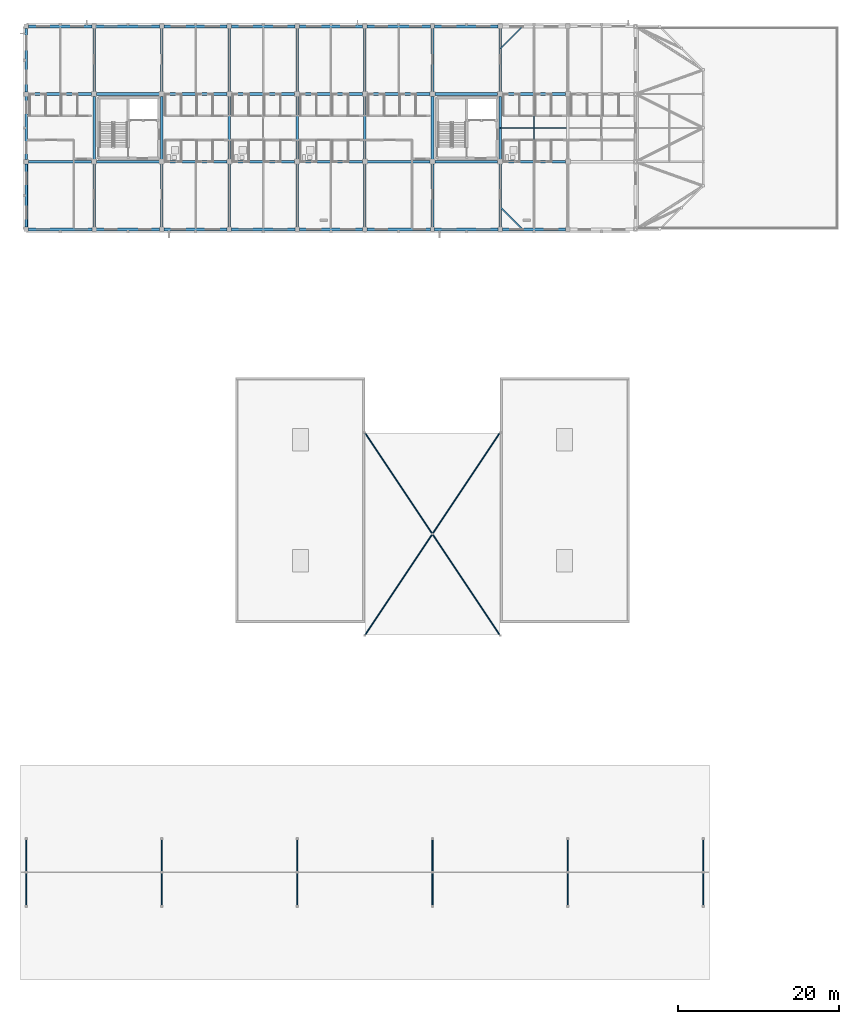
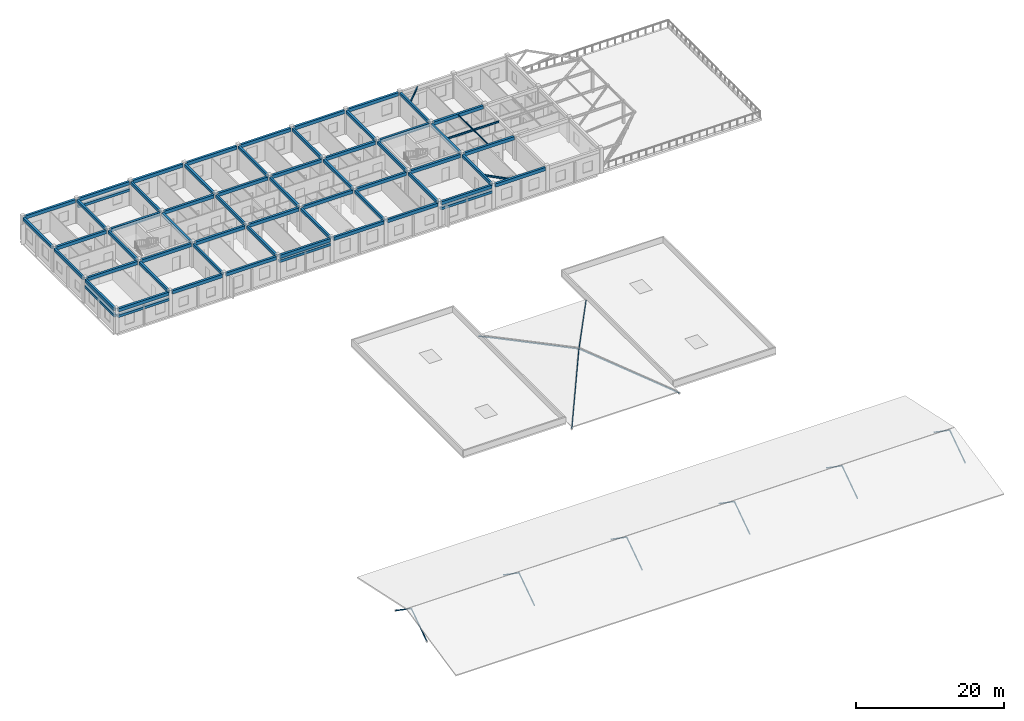
# One storey, part 3 of 21: 65 beams, 16 members.
"""IFC4 building model written with IfcOpenShell, lengths in metres."""

import ifcopenshell
import ifcopenshell.guid

model = None  # the IFC model being written
_history = None  # IfcOwnerHistory: only IFC2X3 demands one
_inside = {}  # id of a spatial element -> (the spatial element, [elements in it])
_under = {}  # id of a project, library or spatial element -> (it, [spatial elements below it])
_declared = {}  # id of a project -> (the project, [libraries it declares])
_typed = {}  # id of a type object -> (the type object, [elements of that type])
_made_of = {}  # id of a material, layer set ... -> (it, [elements and type objects made of it])


def new_model(schema):
    """Start an empty IFC model of exactly this schema.

    Asked for "IFC4X3", IfcOpenShell would pick the latest addendum, in which some entities
    have other attributes; the version numbers below select the first issue.
    IFC2X3 requires an IfcOwnerHistory on every rooted entity: one is made here for all.
    """
    global model, _history
    if schema == "IFC4X3":
        model = ifcopenshell.file(schema_version=(4, 3, 0, 0))
    else:
        model = ifcopenshell.file(schema=schema)
    _inside.clear()
    _under.clear()
    _declared.clear()
    _typed.clear()
    _made_of.clear()
    _history = None
    if model.schema == "IFC2X3":
        org = make("IfcOrganization", Name="unknown")
        user = make(
            "IfcPersonAndOrganization",
            ThePerson=make("IfcPerson", FamilyName="unknown"),
            TheOrganization=org,
        )
        app = make(
            "IfcApplication",
            ApplicationDeveloper=org,
            Version="unknown",
            ApplicationFullName="unknown",
            ApplicationIdentifier="unknown",
        )
        _history = make(
            "IfcOwnerHistory",
            OwningUser=user,
            OwningApplication=app,
            ChangeAction="ADDED",
            CreationDate=0,
        )
    return model


def make(cls, **values):
    """One entity of the class cls with the attributes given. An attribute that is None is left unset."""
    return model.create_entity(
        cls, **{name: value for name, value in values.items() if value is not None}
    )


def rooted(cls, **values):
    """An entity with a GlobalId (a new one), such as an element, a storey or a relation."""
    return make(cls, GlobalId=ifcopenshell.guid.new(), OwnerHistory=_history, **values)


def si_unit(unit_type, name, prefix=None):
    """IfcSIUnit, for example si_unit("LENGTHUNIT", "METRE", prefix="MILLI")."""
    return make("IfcSIUnit", UnitType=unit_type, Prefix=prefix, Name=name)


def assignment(units):
    """IfcUnitAssignment: the units of a project."""
    return None if units is None else make("IfcUnitAssignment", Units=units)


def point(xyz):
    """IfcCartesianPoint."""
    return None if xyz is None else make("IfcCartesianPoint", Coordinates=xyz)


def direction(xyz):
    """IfcDirection."""
    return None if xyz is None else make("IfcDirection", DirectionRatios=xyz)


def frame(location, z_axis=None, x_axis=None):
    """IfcAxis2Placement3D, a coordinate frame: its origin and axes. An axis left out is left unset."""
    return make(
        "IfcAxis2Placement3D",
        Location=point(location),
        Axis=direction(z_axis),
        RefDirection=direction(x_axis),
    )


def frame_2d(location, x_axis=None):
    """IfcAxis2Placement2D, a coordinate frame in the plane: its origin and x axis."""
    return make(
        "IfcAxis2Placement2D", Location=point(location), RefDirection=direction(x_axis)
    )


def origin():
    """The frame at (0, 0, 0) with its axes left unset."""
    return frame((0.0, 0.0, 0.0))


def origin_2d():
    """The frame at (0, 0) in the plane with its x axis left unset."""
    return frame_2d((0.0, 0.0))


def place(relative_to, where):
    """IfcLocalPlacement: puts the frame where relative to a parent placement (None: the world)."""
    return make(
        "IfcLocalPlacement", PlacementRelTo=relative_to, RelativePlacement=where
    )


def context(
    kind, dimensions, precision=None, world=None, true_north=None, identifier=None
):
    """IfcGeometricRepresentationContext, for example the 3D "Model" context."""
    return make(
        "IfcGeometricRepresentationContext",
        ContextIdentifier=identifier,
        ContextType=kind,
        CoordinateSpaceDimension=dimensions,
        Precision=precision,
        WorldCoordinateSystem=world,
        TrueNorth=true_north,
    )


def subcontext(parent, identifier, kind, view, scale=None):
    """IfcGeometricRepresentationSubContext, for example "Body" below "Model"."""
    return make(
        "IfcGeometricRepresentationSubContext",
        ContextIdentifier=identifier,
        ContextType=kind,
        ParentContext=parent,
        TargetScale=scale,
        TargetView=view,
    )


def project(units=None, contexts=None):
    """IfcProject with its units and contexts."""
    return rooted(
        "IfcProject",
        Name="project",
        RepresentationContexts=contexts,
        UnitsInContext=assignment(units),
    )


def spatial(cls, under=None, at=None, **own):
    """A site, building, storey or space (cls), placed at a placement, below another one or the project."""
    s = rooted(cls, ObjectPlacement=at, **own)
    if under is not None:
        _under.setdefault(under.id(), (under, []))[1].append(s)
    return s


def profile(cls, at=None, kind="AREA", **sizes):
    """A parametric profile (cls). Its sizes go by their IFC names, for example OverallWidth=200.0."""
    return make(cls, ProfileType=kind, Position=at, **sizes)


def rectangle(**sizes):
    """IfcRectangleProfileDef."""
    return profile("IfcRectangleProfileDef", **sizes)


def hollow_circle(**sizes):
    """IfcCircleHollowProfileDef."""
    return profile("IfcCircleHollowProfileDef", **sizes)


def i_section(**sizes):
    """IfcIShapeProfileDef."""
    return profile("IfcIShapeProfileDef", **sizes)


def extrude(swept, where, along, depth):
    """IfcExtrudedAreaSolid: the profile swept, set in the frame where, extruded along a direction by depth."""
    return make(
        "IfcExtrudedAreaSolid",
        SweptArea=swept,
        Position=where,
        ExtrudedDirection=direction(along),
        Depth=depth,
    )


def shape(context_of_items, identifier, shape_type, items):
    """IfcShapeRepresentation: the items that make up one representation, for example the "Body"."""
    return make(
        "IfcShapeRepresentation",
        ContextOfItems=context_of_items,
        RepresentationIdentifier=identifier,
        RepresentationType=shape_type,
        Items=items,
    )


def material(Name=None, Category=None):
    """IfcMaterial."""
    return make("IfcMaterial", Name=Name, Category=Category)


def material_profile(
    of_material, cross_section, Name=None, Category=None, Priority=None
):
    """IfcMaterialProfile: a cross section and its material."""
    return make(
        "IfcMaterialProfile",
        Name=Name,
        Material=of_material,
        Profile=cross_section,
        Priority=Priority,
        Category=Category,
    )


def profile_set(profiles, Name=None, composite=None):
    """IfcMaterialProfileSet."""
    return make(
        "IfcMaterialProfileSet",
        Name=Name,
        MaterialProfiles=profiles,
        CompositeProfile=composite,
    )


def made_of(thing, what):
    """Note that an element or type object is made of a material, layer set ...; save() writes the relation."""
    if what is not None:
        _made_of.setdefault(what.id(), (what, []))[1].append(thing)
    return thing


def type_object(cls, material=None, **own):
    """A type object (cls), such as IfcWallType, which elements share."""
    return made_of(rooted(cls, **own), material)


def element(
    cls,
    number,
    at=None,
    inside=None,
    cuts=None,
    type_object=None,
    material=None,
    context=None,
    identifier="Body",
    shape_type=None,
    held_by="IfcProductDefinitionShape",
    body=None,
    shapes=None,
    **own,
):
    """One element of the class cls, such as IfcWall. Its Tag is "e" and its number.

    at: its placement. inside: the storey or other place that contains it. cuts: it is an
    opening in that element (IfcRelVoidsElement). A single representation is given by context,
    identifier, shape_type and body (its items); several are given by shapes. held_by: the class
    of the entity that holds the representations. save() writes the other relations.
    """
    e = rooted(cls, Tag="e%d" % number, ObjectPlacement=at, **own)
    if body is not None:
        shapes = [shape(context, identifier, shape_type, body)]
    if shapes is not None:
        e.Representation = make(held_by, Representations=shapes)
    if inside is not None:
        _inside.setdefault(inside.id(), (inside, []))[1].append(e)
    if cuts is not None:
        rooted(
            "IfcRelVoidsElement", RelatingBuildingElement=cuts, RelatedOpeningElement=e
        )
    if type_object is not None:
        _typed.setdefault(type_object.id(), (type_object, []))[1].append(e)
    return made_of(e, material)


def aggregate(whole, parts):
    """IfcRelAggregates: a whole, such as a stair, and the parts it consists of."""
    return rooted("IfcRelAggregates", RelatingObject=whole, RelatedObjects=parts)


def save(model, path):
    """Write the relations noted so far, then the file.

    IfcRelAggregates (storeys below a building ...), IfcRelContainedInSpatialStructure (elements
    in a storey), IfcRelDefinesByType, IfcRelAssociatesMaterial and IfcRelDeclares: one each for
    every whole, place, type object, material and project.
    """
    for whole, parts in _under.values():
        aggregate(whole, parts)
    for where, things in _inside.values():
        rooted(
            "IfcRelContainedInSpatialStructure",
            RelatedElements=things,
            RelatingStructure=where,
        )
    for kind, things in _typed.values():
        rooted("IfcRelDefinesByType", RelatedObjects=things, RelatingType=kind)
    for what, things in _made_of.values():
        rooted("IfcRelAssociatesMaterial", RelatedObjects=things, RelatingMaterial=what)
    for by, libraries in _declared.values():
        rooted("IfcRelDeclares", RelatingContext=by, RelatedDefinitions=libraries)
    model.write(path)


model = new_model("IFC4")

# Units and contexts
model_context = context("Model", 3, precision=1e-05, world=origin(), true_north=direction((0.0, 1.0)))
body_context = subcontext(model_context, "Body", "Model", "MODEL_VIEW")
ifc_project = project(units=[si_unit("LENGTHUNIT", "METRE"), si_unit("AREAUNIT", "SQUARE_METRE"), si_unit("VOLUMEUNIT", "CUBIC_METRE"), si_unit("PLANEANGLEUNIT", "RADIAN"), si_unit("MASSUNIT", "GRAM", prefix="KILO")], contexts=[model_context])

# Site, building, storey
site_placement = place(None, origin())
site = spatial("IfcSite", under=ifc_project, at=site_placement, CompositionType="ELEMENT")
building_placement = place(site_placement, origin())
building = spatial("IfcBuilding", under=site, at=building_placement, Name="Trelvath General Hospital", CompositionType="ELEMENT")
storey_placement = place(building_placement, frame((0.0, 0.0, 28.800048828125)))
storey = spatial("IfcBuildingStorey", under=building, at=storey_placement, Name="L07", CompositionType="ELEMENT", Elevation=28.800048828125)

# Beams
ifc_material_1 = material(Name="Concrete C35/45", Category="concrete")
ifc_material_profile_1 = material_profile(ifc_material_1, rectangle(XDim=0.320068359375, YDim=0.47998046875, at=origin_2d()), Name="RCB320x480")
ifc_profile_set_1 = profile_set([ifc_material_profile_1], Name="Concrete C35/45")
beam_type_1 = type_object("IfcBeamType", Name="Beam RC320x480", PredefinedType="BEAM", material=ifc_profile_set_1)
beam_1_placement = place(storey_placement, frame((33.60009765625, 92.669921875, 3.679931640625), z_axis=(0.0, 1.0, 0.0), x_axis=(-1.0, 0.0, 0.0)))
element("IfcBeam", 1, at=beam_1_placement, inside=storey, type_object=beam_type_1, Name="Grid Beam BY-704L", PredefinedType="BEAM", context=body_context, shape_type="SweptSolid", body=[
    extrude(rectangle(XDim=0.320068359375, YDim=0.47998046875, at=origin_2d()), origin(), (0.0, 0.0, 1.0), 7.860107421875),
])
beam_2_placement = place(storey_placement, frame((33.60009765625, 101.070068359375, 3.679931640625), z_axis=(0.0, 1.0, 0.0), x_axis=(-1.0, 0.0, 0.0)))
element("IfcBeam", 2, at=beam_2_placement, inside=storey, type_object=beam_type_1, Name="Grid Beam BY-704M", PredefinedType="BEAM", context=body_context, shape_type="SweptSolid", body=[
    extrude(rectangle(XDim=0.320068359375, YDim=0.47998046875, at=origin_2d()), origin(), (0.0, 0.0, 1.0), 7.85986328125),
])
beam_3_placement = place(storey_placement, frame((33.60009765625, 109.469970703125, 3.679931640625), z_axis=(0.0, 1.0, 0.0), x_axis=(-1.0, 0.0, 0.0)))
element("IfcBeam", 3, at=beam_3_placement, inside=storey, type_object=beam_type_1, Name="Grid Beam BY-704N", PredefinedType="BEAM", context=body_context, shape_type="SweptSolid", body=[
    extrude(rectangle(XDim=0.320068359375, YDim=0.47998046875, at=origin_2d()), origin(), (0.0, 0.0, 1.0), 7.860107421875),
])
beam_4_placement = place(storey_placement, frame((42.0, 92.669921875, 3.679931640625), z_axis=(0.0, 1.0, 0.0), x_axis=(-1.0, 0.0, 0.0)))
element("IfcBeam", 4, at=beam_4_placement, inside=storey, type_object=beam_type_1, Name="Grid Beam BY-705L", PredefinedType="BEAM", context=body_context, shape_type="SweptSolid", body=[
    extrude(rectangle(XDim=0.320068359375, YDim=0.47998046875, at=origin_2d()), origin(), (0.0, 0.0, 1.0), 7.8251953125),
])
beam_5_placement = place(storey_placement, frame((42.0, 101.10498046875, 3.679931640625), z_axis=(0.0, 1.0, 0.0), x_axis=(-1.0, 0.0, 0.0)))
element("IfcBeam", 5, at=beam_5_placement, inside=storey, type_object=beam_type_1, Name="Grid Beam BY-705M", PredefinedType="BEAM", context=body_context, shape_type="SweptSolid", body=[
    extrude(rectangle(XDim=0.320068359375, YDim=0.47998046875, at=origin_2d()), origin(), (0.0, 0.0, 1.0), 7.7900390625),
])
for number, where, z_axis, x_axis, name in (
    (6, (42.0, 109.5048828125, 3.679931640625), (0.0, 1.0, 0.0), (-1.0, 0.0, 0.0), "Grid Beam BY-705N"),
    (7, (50.39990234375, 92.669921875, 3.679931640625), (0.0, 1.0, 0.0), (-1.0, 0.0, 0.0), "Grid Beam BY-706L"),
):
    element("IfcBeam", number, at=place(storey_placement, frame(where, z_axis=z_axis, x_axis=x_axis)), inside=storey, type_object=beam_type_1, Name=name, PredefinedType="BEAM", context=body_context, shape_type="SweptSolid", body=[
        extrude(rectangle(XDim=0.320068359375, YDim=0.47998046875, at=origin_2d()), origin(), (0.0, 0.0, 1.0), 7.8251953125),
    ])
beam_6_placement = place(storey_placement, frame((50.39990234375, 101.10498046875, 3.679931640625), z_axis=(0.0, 1.0, 0.0), x_axis=(-1.0, 0.0, 0.0)))
element("IfcBeam", 8, at=beam_6_placement, inside=storey, type_object=beam_type_1, Name="Grid Beam BY-706M", PredefinedType="BEAM", context=body_context, shape_type="SweptSolid", body=[
    extrude(rectangle(XDim=0.320068359375, YDim=0.47998046875, at=origin_2d()), origin(), (0.0, 0.0, 1.0), 7.7900390625),
])
for number, where, z_axis, x_axis, name in (
    (9, (50.39990234375, 109.5048828125, 3.679931640625), (0.0, 1.0, 0.0), (-1.0, 0.0, 0.0), "Grid Beam BY-706N"),
    (10, (58.800048828125, 92.669921875, 3.679931640625), (0.0, 1.0, 0.0), (-1.0, 0.0, 0.0), "Grid Beam BY-707L"),
):
    element("IfcBeam", number, at=place(storey_placement, frame(where, z_axis=z_axis, x_axis=x_axis)), inside=storey, type_object=beam_type_1, Name=name, PredefinedType="BEAM", context=body_context, shape_type="SweptSolid", body=[
        extrude(rectangle(XDim=0.320068359375, YDim=0.47998046875, at=origin_2d()), origin(), (0.0, 0.0, 1.0), 7.8251953125),
    ])
beam_7_placement = place(storey_placement, frame((58.800048828125, 101.10498046875, 3.679931640625), z_axis=(0.0, 1.0, 0.0), x_axis=(-1.0, 0.0, 0.0)))
element("IfcBeam", 11, at=beam_7_placement, inside=storey, type_object=beam_type_1, Name="Grid Beam BY-707M", PredefinedType="BEAM", context=body_context, shape_type="SweptSolid", body=[
    extrude(rectangle(XDim=0.320068359375, YDim=0.47998046875, at=origin_2d()), origin(), (0.0, 0.0, 1.0), 7.7900390625),
])
for number, where, z_axis, x_axis, name in (
    (12, (58.800048828125, 109.5048828125, 3.679931640625), (0.0, 1.0, 0.0), (-1.0, 0.0, 0.0), "Grid Beam BY-707N"),
    (13, (67.199951171875, 92.669921875, 3.679931640625), (0.0, 1.0, 0.0), (-1.0, 0.0, 0.0), "Grid Beam BY-708L"),
):
    element("IfcBeam", number, at=place(storey_placement, frame(where, z_axis=z_axis, x_axis=x_axis)), inside=storey, type_object=beam_type_1, Name=name, PredefinedType="BEAM", context=body_context, shape_type="SweptSolid", body=[
        extrude(rectangle(XDim=0.320068359375, YDim=0.47998046875, at=origin_2d()), origin(), (0.0, 0.0, 1.0), 7.8251953125),
    ])
beam_8_placement = place(storey_placement, frame((67.199951171875, 101.10498046875, 3.679931640625), z_axis=(0.0, 1.0, 0.0), x_axis=(-1.0, 0.0, 0.0)))
element("IfcBeam", 14, at=beam_8_placement, inside=storey, type_object=beam_type_1, Name="Grid Beam BY-708M", PredefinedType="BEAM", context=body_context, shape_type="SweptSolid", body=[
    extrude(rectangle(XDim=0.320068359375, YDim=0.47998046875, at=origin_2d()), origin(), (0.0, 0.0, 1.0), 7.7900390625),
])
for number, where, z_axis, x_axis, name in (
    (15, (67.199951171875, 109.5048828125, 3.679931640625), (0.0, 1.0, 0.0), (-1.0, 0.0, 0.0), "Grid Beam BY-708N"),
    (16, (75.60009765625, 92.669921875, 3.679931640625), (0.0, 1.0, 0.0), (-1.0, 0.0, 0.0), "Grid Beam BY-709L"),
):
    element("IfcBeam", number, at=place(storey_placement, frame(where, z_axis=z_axis, x_axis=x_axis)), inside=storey, type_object=beam_type_1, Name=name, PredefinedType="BEAM", context=body_context, shape_type="SweptSolid", body=[
        extrude(rectangle(XDim=0.320068359375, YDim=0.47998046875, at=origin_2d()), origin(), (0.0, 0.0, 1.0), 7.8251953125),
    ])
beam_9_placement = place(storey_placement, frame((75.60009765625, 101.10498046875, 3.679931640625), z_axis=(0.0, 1.0, 0.0), x_axis=(-1.0, 0.0, 0.0)))
element("IfcBeam", 17, at=beam_9_placement, inside=storey, type_object=beam_type_1, Name="Grid Beam BY-709M", PredefinedType="BEAM", context=body_context, shape_type="SweptSolid", body=[
    extrude(rectangle(XDim=0.320068359375, YDim=0.47998046875, at=origin_2d()), origin(), (0.0, 0.0, 1.0), 7.7900390625),
])
for number, where, z_axis, x_axis, name in (
    (18, (75.60009765625, 109.5048828125, 3.679931640625), (0.0, 1.0, 0.0), (-1.0, 0.0, 0.0), "Grid Beam BY-709N"),
    (19, (84.0, 92.669921875, 3.679931640625), (0.0, 1.0, 0.0), (-1.0, 0.0, 0.0), "Grid Beam BY-710L"),
):
    element("IfcBeam", number, at=place(storey_placement, frame(where, z_axis=z_axis, x_axis=x_axis)), inside=storey, type_object=beam_type_1, Name=name, PredefinedType="BEAM", context=body_context, shape_type="SweptSolid", body=[
        extrude(rectangle(XDim=0.320068359375, YDim=0.47998046875, at=origin_2d()), origin(), (0.0, 0.0, 1.0), 7.8251953125),
    ])
beam_10_placement = place(storey_placement, frame((84.0, 101.10498046875, 3.679931640625), z_axis=(0.0, 1.0, 0.0), x_axis=(-1.0, 0.0, 0.0)))
element("IfcBeam", 20, at=beam_10_placement, inside=storey, type_object=beam_type_1, Name="Grid Beam BY-710M", PredefinedType="BEAM", context=body_context, shape_type="SweptSolid", body=[
    extrude(rectangle(XDim=0.320068359375, YDim=0.47998046875, at=origin_2d()), origin(), (0.0, 0.0, 1.0), 7.7900390625),
])
for number, where, z_axis, x_axis, name in (
    (21, (84.0, 109.5048828125, 3.679931640625), (0.0, 1.0, 0.0), (-1.0, 0.0, 0.0), "Grid Beam BY-710N"),
    (22, (92.39990234375, 92.669921875, 3.679931640625), (0.0, 1.0, 0.0), (-1.0, 0.0, 0.0), "Grid Beam BY-711L"),
):
    element("IfcBeam", number, at=place(storey_placement, frame(where, z_axis=z_axis, x_axis=x_axis)), inside=storey, type_object=beam_type_1, Name=name, PredefinedType="BEAM", context=body_context, shape_type="SweptSolid", body=[
        extrude(rectangle(XDim=0.320068359375, YDim=0.47998046875, at=origin_2d()), origin(), (0.0, 0.0, 1.0), 7.8251953125),
    ])
beam_11_placement = place(storey_placement, frame((92.39990234375, 101.10498046875, 3.679931640625), z_axis=(0.0, 1.0, 0.0), x_axis=(-1.0, 0.0, 0.0)))
element("IfcBeam", 23, at=beam_11_placement, inside=storey, type_object=beam_type_1, Name="Grid Beam BY-711M", PredefinedType="BEAM", context=body_context, shape_type="SweptSolid", body=[
    extrude(rectangle(XDim=0.320068359375, YDim=0.47998046875, at=origin_2d()), origin(), (0.0, 0.0, 1.0), 7.7900390625),
])
beam_12_placement = place(storey_placement, frame((92.39990234375, 109.5048828125, 3.679931640625), z_axis=(0.0, 1.0, 0.0), x_axis=(-1.0, 0.0, 0.0)))
element("IfcBeam", 24, at=beam_12_placement, inside=storey, type_object=beam_type_1, Name="Grid Beam BY-711N", PredefinedType="BEAM", context=body_context, shape_type="SweptSolid", body=[
    extrude(rectangle(XDim=0.320068359375, YDim=0.47998046875, at=origin_2d()), origin(), (0.0, 0.0, 1.0), 7.8251953125),
])
ifc_material_2 = material(Name="Concrete C35/45", Category="concrete")
ifc_material_profile_2 = material_profile(ifc_material_2, rectangle(XDim=0.35009765625, YDim=0.550048828125, at=origin_2d()), Name="RCB350x550")
ifc_profile_set_2 = profile_set([ifc_material_profile_2], Name="Concrete C35/45")
beam_type_2 = type_object("IfcBeamType", Name="Beam RC350x550", PredefinedType="BEAM", material=ifc_profile_set_2)
beam_13_placement = place(storey_placement, frame((33.8701171875, 92.39990234375, 3.64501953125), z_axis=(1.0, 0.0, 0.0), x_axis=(0.0, 1.0, 0.0)))
element("IfcBeam", 25, at=beam_13_placement, inside=storey, type_object=beam_type_2, Name="Grid Beam BX-704L", PredefinedType="BEAM", context=body_context, shape_type="SweptSolid", body=[
    extrude(rectangle(XDim=0.35009765625, YDim=0.550048828125, at=origin_2d()), origin(), (0.0, 0.0, 1.0), 7.85986328125),
])
for number, where, z_axis, x_axis, name in (
    (26, (33.8701171875, 100.800048828125, 3.64501953125), (1.0, 0.0, 0.0), (0.0, 1.0, 0.0), "Grid Beam BX-704M"),
    (27, (33.8701171875, 109.199951171875, 3.64501953125), (1.0, 0.0, 0.0), (0.0, 1.0, 0.0), "Grid Beam BX-704N"),
):
    element("IfcBeam", number, at=place(storey_placement, frame(where, z_axis=z_axis, x_axis=x_axis)), inside=storey, type_object=beam_type_2, Name=name, PredefinedType="BEAM", context=body_context, shape_type="SweptSolid", body=[
        extrude(rectangle(XDim=0.35009765625, YDim=0.550048828125, at=origin_2d()), origin(), (0.0, 0.0, 1.0), 7.824951171875),
    ])
for number, where, z_axis, x_axis, name in (
    (28, (33.8701171875, 117.60009765625, 3.64501953125), (1.0, 0.0, 0.0), (0.0, 1.0, 0.0), "Grid Beam BX-704O"),
    (29, (42.27001953125, 92.39990234375, 3.64501953125), (1.0, 0.0, 0.0), (0.0, 1.0, 0.0), "Grid Beam BX-705L"),
):
    element("IfcBeam", number, at=place(storey_placement, frame(where, z_axis=z_axis, x_axis=x_axis)), inside=storey, type_object=beam_type_2, Name=name, PredefinedType="BEAM", context=body_context, shape_type="SweptSolid", body=[
        extrude(rectangle(XDim=0.35009765625, YDim=0.550048828125, at=origin_2d()), origin(), (0.0, 0.0, 1.0), 7.85986328125),
    ])
for number, where, z_axis, x_axis, name in (
    (30, (42.304931640625, 100.800048828125, 3.64501953125), (1.0, 0.0, 0.0), (0.0, 1.0, 0.0), "Grid Beam BX-705M"),
    (31, (42.304931640625, 109.199951171875, 3.64501953125), (1.0, 0.0, 0.0), (0.0, 1.0, 0.0), "Grid Beam BX-705N"),
):
    element("IfcBeam", number, at=place(storey_placement, frame(where, z_axis=z_axis, x_axis=x_axis)), inside=storey, type_object=beam_type_2, Name=name, PredefinedType="BEAM", context=body_context, shape_type="SweptSolid", body=[
        extrude(rectangle(XDim=0.35009765625, YDim=0.550048828125, at=origin_2d()), origin(), (0.0, 0.0, 1.0), 7.7900390625),
    ])
beam_14_placement = place(storey_placement, frame((42.27001953125, 117.60009765625, 3.64501953125), z_axis=(1.0, 0.0, 0.0), x_axis=(0.0, 1.0, 0.0)))
element("IfcBeam", 32, at=beam_14_placement, inside=storey, type_object=beam_type_2, Name="Grid Beam BX-705O", PredefinedType="BEAM", context=body_context, shape_type="SweptSolid", body=[
    extrude(rectangle(XDim=0.35009765625, YDim=0.550048828125, at=origin_2d()), origin(), (0.0, 0.0, 1.0), 7.85986328125),
])
beam_15_placement = place(storey_placement, frame((50.669921875, 92.39990234375, 3.64501953125), z_axis=(1.0, 0.0, 0.0), x_axis=(0.0, 1.0, 0.0)))
element("IfcBeam", 33, at=beam_15_placement, inside=storey, type_object=beam_type_2, Name="Grid Beam BX-706L", PredefinedType="BEAM", context=body_context, shape_type="SweptSolid", body=[
    extrude(rectangle(XDim=0.35009765625, YDim=0.550048828125, at=origin_2d()), origin(), (0.0, 0.0, 1.0), 7.860107421875),
])
for number, where, z_axis, x_axis, name in (
    (34, (50.705078125, 100.800048828125, 3.64501953125), (1.0, 0.0, 0.0), (0.0, 1.0, 0.0), "Grid Beam BX-706M"),
    (35, (50.705078125, 109.199951171875, 3.64501953125), (1.0, 0.0, 0.0), (0.0, 1.0, 0.0), "Grid Beam BX-706N"),
):
    element("IfcBeam", number, at=place(storey_placement, frame(where, z_axis=z_axis, x_axis=x_axis)), inside=storey, type_object=beam_type_2, Name=name, PredefinedType="BEAM", context=body_context, shape_type="SweptSolid", body=[
        extrude(rectangle(XDim=0.35009765625, YDim=0.550048828125, at=origin_2d()), origin(), (0.0, 0.0, 1.0), 7.7900390625),
    ])
beam_16_placement = place(storey_placement, frame((50.669921875, 117.60009765625, 3.64501953125), z_axis=(1.0, 0.0, 0.0), x_axis=(0.0, 1.0, 0.0)))
element("IfcBeam", 36, at=beam_16_placement, inside=storey, type_object=beam_type_2, Name="Grid Beam BX-706O", PredefinedType="BEAM", context=body_context, shape_type="SweptSolid", body=[
    extrude(rectangle(XDim=0.35009765625, YDim=0.550048828125, at=origin_2d()), origin(), (0.0, 0.0, 1.0), 7.860107421875),
])
beam_17_placement = place(storey_placement, frame((59.070068359375, 92.39990234375, 3.64501953125), z_axis=(1.0, 0.0, 0.0), x_axis=(0.0, 1.0, 0.0)))
element("IfcBeam", 37, at=beam_17_placement, inside=storey, type_object=beam_type_2, Name="Grid Beam BX-707L", PredefinedType="BEAM", context=body_context, shape_type="SweptSolid", body=[
    extrude(rectangle(XDim=0.35009765625, YDim=0.550048828125, at=origin_2d()), origin(), (0.0, 0.0, 1.0), 7.85986328125),
])
for number, where, z_axis, x_axis, name in (
    (38, (59.10498046875, 100.800048828125, 3.64501953125), (1.0, 0.0, 0.0), (0.0, 1.0, 0.0), "Grid Beam BX-707M"),
    (39, (59.10498046875, 109.199951171875, 3.64501953125), (1.0, 0.0, 0.0), (0.0, 1.0, 0.0), "Grid Beam BX-707N"),
):
    element("IfcBeam", number, at=place(storey_placement, frame(where, z_axis=z_axis, x_axis=x_axis)), inside=storey, type_object=beam_type_2, Name=name, PredefinedType="BEAM", context=body_context, shape_type="SweptSolid", body=[
        extrude(rectangle(XDim=0.35009765625, YDim=0.550048828125, at=origin_2d()), origin(), (0.0, 0.0, 1.0), 7.7900390625),
    ])
beam_18_placement = place(storey_placement, frame((59.070068359375, 117.60009765625, 3.64501953125), z_axis=(1.0, 0.0, 0.0), x_axis=(0.0, 1.0, 0.0)))
element("IfcBeam", 40, at=beam_18_placement, inside=storey, type_object=beam_type_2, Name="Grid Beam BX-707O", PredefinedType="BEAM", context=body_context, shape_type="SweptSolid", body=[
    extrude(rectangle(XDim=0.35009765625, YDim=0.550048828125, at=origin_2d()), origin(), (0.0, 0.0, 1.0), 7.85986328125),
])
beam_19_placement = place(storey_placement, frame((67.469970703125, 92.39990234375, 3.64501953125), z_axis=(1.0, 0.0, 0.0), x_axis=(0.0, 1.0, 0.0)))
element("IfcBeam", 41, at=beam_19_placement, inside=storey, type_object=beam_type_2, Name="Grid Beam BX-708L", PredefinedType="BEAM", context=body_context, shape_type="SweptSolid", body=[
    extrude(rectangle(XDim=0.35009765625, YDim=0.550048828125, at=origin_2d()), origin(), (0.0, 0.0, 1.0), 7.860107421875),
])
for number, where, z_axis, x_axis, name in (
    (42, (67.5048828125, 100.800048828125, 3.64501953125), (1.0, 0.0, 0.0), (0.0, 1.0, 0.0), "Grid Beam BX-708M"),
    (43, (67.5048828125, 109.199951171875, 3.64501953125), (1.0, 0.0, 0.0), (0.0, 1.0, 0.0), "Grid Beam BX-708N"),
):
    element("IfcBeam", number, at=place(storey_placement, frame(where, z_axis=z_axis, x_axis=x_axis)), inside=storey, type_object=beam_type_2, Name=name, PredefinedType="BEAM", context=body_context, shape_type="SweptSolid", body=[
        extrude(rectangle(XDim=0.35009765625, YDim=0.550048828125, at=origin_2d()), origin(), (0.0, 0.0, 1.0), 7.7900390625),
    ])
beam_20_placement = place(storey_placement, frame((67.469970703125, 117.60009765625, 3.64501953125), z_axis=(1.0, 0.0, 0.0), x_axis=(0.0, 1.0, 0.0)))
element("IfcBeam", 44, at=beam_20_placement, inside=storey, type_object=beam_type_2, Name="Grid Beam BX-708O", PredefinedType="BEAM", context=body_context, shape_type="SweptSolid", body=[
    extrude(rectangle(XDim=0.35009765625, YDim=0.550048828125, at=origin_2d()), origin(), (0.0, 0.0, 1.0), 7.860107421875),
])
beam_21_placement = place(storey_placement, frame((75.8701171875, 92.39990234375, 3.64501953125), z_axis=(1.0, 0.0, 0.0), x_axis=(0.0, 1.0, 0.0)))
element("IfcBeam", 45, at=beam_21_placement, inside=storey, type_object=beam_type_2, Name="Grid Beam BX-709L", PredefinedType="BEAM", context=body_context, shape_type="SweptSolid", body=[
    extrude(rectangle(XDim=0.35009765625, YDim=0.550048828125, at=origin_2d()), origin(), (0.0, 0.0, 1.0), 7.85986328125),
])
for number, where, z_axis, x_axis, name in (
    (46, (75.905029296875, 100.800048828125, 3.64501953125), (1.0, 0.0, 0.0), (0.0, 1.0, 0.0), "Grid Beam BX-709M"),
    (47, (75.905029296875, 109.199951171875, 3.64501953125), (1.0, 0.0, 0.0), (0.0, 1.0, 0.0), "Grid Beam BX-709N"),
):
    element("IfcBeam", number, at=place(storey_placement, frame(where, z_axis=z_axis, x_axis=x_axis)), inside=storey, type_object=beam_type_2, Name=name, PredefinedType="BEAM", context=body_context, shape_type="SweptSolid", body=[
        extrude(rectangle(XDim=0.35009765625, YDim=0.550048828125, at=origin_2d()), origin(), (0.0, 0.0, 1.0), 7.7900390625),
    ])
for number, where, z_axis, x_axis, name in (
    (48, (75.8701171875, 117.60009765625, 3.64501953125), (1.0, 0.0, 0.0), (0.0, 1.0, 0.0), "Grid Beam BX-709O"),
    (49, (84.27001953125, 92.39990234375, 3.64501953125), (1.0, 0.0, 0.0), (0.0, 1.0, 0.0), "Grid Beam BX-710L"),
):
    element("IfcBeam", number, at=place(storey_placement, frame(where, z_axis=z_axis, x_axis=x_axis)), inside=storey, type_object=beam_type_2, Name=name, PredefinedType="BEAM", context=body_context, shape_type="SweptSolid", body=[
        extrude(rectangle(XDim=0.35009765625, YDim=0.550048828125, at=origin_2d()), origin(), (0.0, 0.0, 1.0), 7.85986328125),
    ])
for number, where, z_axis, x_axis, name in (
    (50, (84.304931640625, 100.800048828125, 3.64501953125), (1.0, 0.0, 0.0), (0.0, 1.0, 0.0), "Grid Beam BX-710M"),
    (51, (84.304931640625, 109.199951171875, 3.64501953125), (1.0, 0.0, 0.0), (0.0, 1.0, 0.0), "Grid Beam BX-710N"),
):
    element("IfcBeam", number, at=place(storey_placement, frame(where, z_axis=z_axis, x_axis=x_axis)), inside=storey, type_object=beam_type_2, Name=name, PredefinedType="BEAM", context=body_context, shape_type="SweptSolid", body=[
        extrude(rectangle(XDim=0.35009765625, YDim=0.550048828125, at=origin_2d()), origin(), (0.0, 0.0, 1.0), 7.7900390625),
    ])
beam_22_placement = place(storey_placement, frame((84.27001953125, 117.60009765625, 3.64501953125), z_axis=(1.0, 0.0, 0.0), x_axis=(0.0, 1.0, 0.0)))
element("IfcBeam", 52, at=beam_22_placement, inside=storey, type_object=beam_type_2, Name="Grid Beam BX-710O", PredefinedType="BEAM", context=body_context, shape_type="SweptSolid", body=[
    extrude(rectangle(XDim=0.35009765625, YDim=0.550048828125, at=origin_2d()), origin(), (0.0, 0.0, 1.0), 7.85986328125),
])
beam_23_placement = place(storey_placement, frame((92.669921875, 92.39990234375, 3.64501953125), z_axis=(1.0, 0.0, 0.0), x_axis=(0.0, 1.0, 0.0)))
element("IfcBeam", 53, at=beam_23_placement, inside=storey, type_object=beam_type_2, Name="Grid Beam BX-711L", PredefinedType="BEAM", context=body_context, shape_type="SweptSolid", body=[
    extrude(rectangle(XDim=0.35009765625, YDim=0.550048828125, at=origin_2d()), origin(), (0.0, 0.0, 1.0), 7.860107421875),
])
for number, where, z_axis, x_axis, name in (
    (54, (92.705078125, 100.800048828125, 3.64501953125), (1.0, 0.0, 0.0), (0.0, 1.0, 0.0), "Grid Beam BX-711M"),
    (55, (92.705078125, 109.199951171875, 3.64501953125), (1.0, 0.0, 0.0), (0.0, 1.0, 0.0), "Grid Beam BX-711N"),
):
    element("IfcBeam", number, at=place(storey_placement, frame(where, z_axis=z_axis, x_axis=x_axis)), inside=storey, type_object=beam_type_2, Name=name, PredefinedType="BEAM", context=body_context, shape_type="SweptSolid", body=[
        extrude(rectangle(XDim=0.35009765625, YDim=0.550048828125, at=origin_2d()), origin(), (0.0, 0.0, 1.0), 7.7900390625),
    ])
ifc_material_3 = material(Name="Steel S355", Category="steel")
ifc_material_profile_3 = material_profile(ifc_material_3, i_section(OverallWidth=0.14990234375, OverallDepth=0.300048828125, WebThickness=0.007080078125, FlangeThickness=0.0107421875, at=origin_2d()), Name="IPE300")
ifc_profile_set_3 = profile_set([ifc_material_profile_3], Name="Steel S355")
beam_type_3 = type_object("IfcBeamType", Name="HelipadBeam IPE300", PredefinedType="BEAM", material=ifc_profile_set_3)
for number, where, z_axis, x_axis, name in (
    (56, (95.199951171875, 117.60009765625, 3.7099609375), (-0.707106781187, -0.707106781187, 0.0), (0.707106781187, -0.707106781187, 0.0), "Helipad Octagonal Rim Beam 6"),
    (57, (92.39990234375, 95.199951171875, 3.7099609375), (0.707106781187, -0.707106781187, 0.0), (0.707106781187, 0.707106781187, 0.0), "Helipad Octagonal Rim Beam 8"),
):
    element("IfcBeam", number, at=place(storey_placement, frame(where, z_axis=z_axis, x_axis=x_axis)), inside=storey, type_object=beam_type_3, Name=name, PredefinedType="BEAM", context=body_context, shape_type="SweptSolid", body=[
        extrude(i_section(OverallWidth=0.14990234375, OverallDepth=0.300048828125, WebThickness=0.007080078125, FlangeThickness=0.0107421875, at=origin_2d()), origin(), (0.0, 0.0, 1.0), 3.9599609375),
    ])
beam_24_placement = place(storey_placement, frame((92.39990234375, 105.0, 3.7099609375), z_axis=(1.0, 0.0, 0.0), x_axis=(0.0, 1.0, 0.0)))
element("IfcBeam", 58, at=beam_24_placement, inside=storey, type_object=beam_type_3, Name="Helipad Stiffener Beam HB-X1", PredefinedType="BEAM", context=body_context, shape_type="SweptSolid", body=[
    extrude(i_section(OverallWidth=0.14990234375, OverallDepth=0.300048828125, WebThickness=0.007080078125, FlangeThickness=0.0107421875, at=origin_2d()), origin(), (0.0, 0.0, 1.0), 8.239990234375),
])
ifc_material_4 = material(Name="Steel S355", Category="steel")
ifc_material_profile_4 = material_profile(ifc_material_4, i_section(OverallWidth=0.10009765625, OverallDepth=0.199951171875, WebThickness=0.005615234375, FlangeThickness=0.008544921875, at=origin_2d()), Name="IPE200")
ifc_profile_set_4 = profile_set([ifc_material_profile_4], Name="Steel S355")
beam_type_4 = type_object("IfcBeamType", Name="HelipadJoist IPE200", PredefinedType="JOIST", material=ifc_profile_set_4)
for number, where, z_axis, x_axis, name in (
    (59, (96.60009765625, 100.9599609375, 3.760009765625), (0.0, 1.0, 0.0), (-1.0, 0.0, 0.0), "Helipad Deck Joist HJ-1"),
    (60, (96.60009765625, 105.074951171875, 3.760009765625), (0.0, 1.0, 0.0), (-1.0, 0.0, 0.0), "Helipad Deck Joist HJ-2"),
):
    element("IfcBeam", number, at=place(storey_placement, frame(where, z_axis=z_axis, x_axis=x_axis)), inside=storey, type_object=beam_type_4, Name=name, PredefinedType="JOIST", context=body_context, shape_type="SweptSolid", body=[
        extrude(i_section(OverallWidth=0.10009765625, OverallDepth=0.199951171875, WebThickness=0.005615234375, FlangeThickness=0.008544921875, at=origin_2d()), origin(), (0.0, 0.0, 1.0), 3.965087890625),
    ])
ifc_material_5 = material(Name="Precast concrete C40/50", Category="concrete")
ifc_material_profile_5 = material_profile(ifc_material_5, rectangle(XDim=0.35009765625, YDim=0.419921875, at=origin_2d()), Name="PCL350x420")
ifc_profile_set_5 = profile_set([ifc_material_profile_5], Name="Precast concrete C40/50")
beam_type_5 = type_object("IfcBeamType", Name="Lintel PC350x420", PredefinedType="LINTEL", material=ifc_profile_set_5)
for number, where, z_axis, x_axis, name in (
    (61, (41.81005859375, 92.39990234375, 2.669921875), (-1.0, 0.0, 0.0), (0.0, -1.0, 0.0), "Precast Window Brow Lintel L07-608"),
    (62, (33.60009765625, 92.590087890625, 2.669921875), (0.0, 1.0, 0.0), (-1.0, 0.0, 0.0), "Precast Window Brow Lintel L07-609"),
    (63, (42.18994140625, 117.60009765625, 2.52001953125), (1.0, 0.0, 0.0), (0.0, 1.0, 0.0), "Precast Window Brow Lintel L07-614"),
    (64, (67.010009765625, 92.39990234375, 2.919921875), (-1.0, 0.0, 0.0), (0.0, -1.0, 0.0), "Precast Window Brow Lintel L07-617"),
    (65, (92.2099609375, 92.39990234375, 2.77001953125), (-1.0, 0.0, 0.0), (0.0, -1.0, 0.0), "Precast Window Brow Lintel L07-623"),
):
    element("IfcBeam", number, at=place(storey_placement, frame(where, z_axis=z_axis, x_axis=x_axis)), inside=storey, type_object=beam_type_5, Name=name, PredefinedType="LINTEL", context=body_context, shape_type="SweptSolid", body=[
        extrude(rectangle(XDim=0.35009765625, YDim=0.419921875, at=origin_2d()), origin(), (0.0, 0.0, 1.0), 8.02001953125),
    ])

# Members
ifc_material_6 = material(Name="Steel S355", Category="steel")
ifc_material_profile_6 = material_profile(ifc_material_6, hollow_circle(Radius=0.096923828125, WallThickness=0.008056640625, at=origin_2d()), Name="CHS193.7x8.0")
ifc_profile_set_6 = profile_set([ifc_material_profile_6], Name="Steel S355")
member_type = type_object("IfcMemberType", Name="ShellStrut CHS193", PredefinedType="STRUT", material=ifc_profile_set_6)
for number, where, z_axis, x_axis, name in (
    (66, (75.60009765625, 42.0, 0.0), (0.54681445268, 0.820237572016, 0.167941298653), (-0.832055254913, 0.55469275529, 0.0), "Central Crown Strut 31"),
    (67, (92.39990234375, 42.0, 0.0), (-0.54681445268, 0.820237572016, 0.167941298653), (-0.832055254913, -0.55469275529, 0.0), "Central Crown Strut 32"),
):
    element("IfcMember", number, at=place(storey_placement, frame(where, z_axis=z_axis, x_axis=x_axis)), inside=storey, type_object=member_type, Name=name, PredefinedType="STRUT", context=body_context, shape_type="SweptSolid", body=[
        extrude(hollow_circle(Radius=0.096923828125, WallThickness=0.008056640625, at=origin_2d()), origin(), (0.0, 0.0, 1.0), 15.361572265625),
    ])
for number, where, z_axis, x_axis, name in (
    (68, (92.39990234375, 67.199951171875, 0.0), (-0.546821581041, -0.820232371562, 0.167943487963), (0.832050294338, -0.554700196225, 0.0), "Central Crown Strut 33"),
    (69, (75.60009765625, 67.199951171875, 0.0), (0.546821581041, -0.820232371562, 0.167943487963), (0.832050294338, 0.554700196225, 0.0), "Central Crown Strut 34"),
):
    element("IfcMember", number, at=place(storey_placement, frame(where, z_axis=z_axis, x_axis=x_axis)), inside=storey, type_object=member_type, Name=name, PredefinedType="STRUT", context=body_context, shape_type="SweptSolid", body=[
        extrude(hollow_circle(Radius=0.096923828125, WallThickness=0.008056640625, at=origin_2d()), origin(), (0.0, 0.0, 1.0), 15.361328125),
    ])
member_1_placement = place(storey_placement, frame((33.60009765625, 8.39990234375, 0.0), z_axis=(0.0, 0.824751849367, 0.565494816039), x_axis=(-1.0, 0.0, 0.0)))
element("IfcMember", 70, at=member_1_placement, inside=storey, type_object=member_type, Name="South Ward Shell Strut 35", PredefinedType="STRUT", context=body_context, shape_type="SweptSolid", body=[
    extrude(hollow_circle(Radius=0.096923828125, WallThickness=0.008056640625, at=origin_2d()), origin(), (0.0, 0.0, 1.0), 5.0927734375),
])
member_2_placement = place(storey_placement, frame((33.60009765625, 16.800048828125, 0.0), z_axis=(0.0, -0.824736518141, 0.565517175376), x_axis=(1.0, 0.0, 0.0)))
element("IfcMember", 71, at=member_2_placement, inside=storey, type_object=member_type, Name="South Ward Shell Strut 36", PredefinedType="STRUT", context=body_context, shape_type="SweptSolid", body=[
    extrude(hollow_circle(Radius=0.096923828125, WallThickness=0.008056640625, at=origin_2d()), origin(), (0.0, 0.0, 1.0), 5.092529296875),
])
member_3_placement = place(storey_placement, frame((50.39990234375, 8.39990234375, 0.0), z_axis=(0.0, 0.824751849367, 0.565494816039), x_axis=(-1.0, 0.0, 0.0)))
element("IfcMember", 72, at=member_3_placement, inside=storey, type_object=member_type, Name="South Ward Shell Strut 37", PredefinedType="STRUT", context=body_context, shape_type="SweptSolid", body=[
    extrude(hollow_circle(Radius=0.096923828125, WallThickness=0.008056640625, at=origin_2d()), origin(), (0.0, 0.0, 1.0), 5.0927734375),
])
member_4_placement = place(storey_placement, frame((50.39990234375, 16.800048828125, 0.0), z_axis=(0.0, -0.824736518141, 0.565517175376), x_axis=(1.0, 0.0, 0.0)))
element("IfcMember", 73, at=member_4_placement, inside=storey, type_object=member_type, Name="South Ward Shell Strut 38", PredefinedType="STRUT", context=body_context, shape_type="SweptSolid", body=[
    extrude(hollow_circle(Radius=0.096923828125, WallThickness=0.008056640625, at=origin_2d()), origin(), (0.0, 0.0, 1.0), 5.092529296875),
])
member_5_placement = place(storey_placement, frame((67.199951171875, 8.39990234375, 0.0), z_axis=(0.0, 0.824751849367, 0.565494816039), x_axis=(-1.0, 0.0, 0.0)))
element("IfcMember", 74, at=member_5_placement, inside=storey, type_object=member_type, Name="South Ward Shell Strut 39", PredefinedType="STRUT", context=body_context, shape_type="SweptSolid", body=[
    extrude(hollow_circle(Radius=0.096923828125, WallThickness=0.008056640625, at=origin_2d()), origin(), (0.0, 0.0, 1.0), 5.0927734375),
])
member_6_placement = place(storey_placement, frame((67.199951171875, 16.800048828125, 0.0), z_axis=(0.0, -0.824736518141, 0.565517175376), x_axis=(1.0, 0.0, 0.0)))
element("IfcMember", 75, at=member_6_placement, inside=storey, type_object=member_type, Name="South Ward Shell Strut 40", PredefinedType="STRUT", context=body_context, shape_type="SweptSolid", body=[
    extrude(hollow_circle(Radius=0.096923828125, WallThickness=0.008056640625, at=origin_2d()), origin(), (0.0, 0.0, 1.0), 5.092529296875),
])
member_7_placement = place(storey_placement, frame((84.0, 8.39990234375, 0.0), z_axis=(0.0, 0.824751849367, 0.565494816039), x_axis=(-1.0, 0.0, 0.0)))
element("IfcMember", 76, at=member_7_placement, inside=storey, type_object=member_type, Name="South Ward Shell Strut 41", PredefinedType="STRUT", context=body_context, shape_type="SweptSolid", body=[
    extrude(hollow_circle(Radius=0.096923828125, WallThickness=0.008056640625, at=origin_2d()), origin(), (0.0, 0.0, 1.0), 5.0927734375),
])
member_8_placement = place(storey_placement, frame((84.0, 16.800048828125, 0.0), z_axis=(0.0, -0.824736518141, 0.565517175376), x_axis=(1.0, 0.0, 0.0)))
element("IfcMember", 77, at=member_8_placement, inside=storey, type_object=member_type, Name="South Ward Shell Strut 42", PredefinedType="STRUT", context=body_context, shape_type="SweptSolid", body=[
    extrude(hollow_circle(Radius=0.096923828125, WallThickness=0.008056640625, at=origin_2d()), origin(), (0.0, 0.0, 1.0), 5.092529296875),
])
member_9_placement = place(storey_placement, frame((100.800048828125, 8.39990234375, 0.0), z_axis=(0.0, 0.824751849367, 0.565494816039), x_axis=(-1.0, 0.0, 0.0)))
element("IfcMember", 78, at=member_9_placement, inside=storey, type_object=member_type, Name="South Ward Shell Strut 43", PredefinedType="STRUT", context=body_context, shape_type="SweptSolid", body=[
    extrude(hollow_circle(Radius=0.096923828125, WallThickness=0.008056640625, at=origin_2d()), origin(), (0.0, 0.0, 1.0), 5.0927734375),
])
member_10_placement = place(storey_placement, frame((100.800048828125, 16.800048828125, 0.0), z_axis=(0.0, -0.824736518141, 0.565517175376), x_axis=(1.0, 0.0, 0.0)))
element("IfcMember", 79, at=member_10_placement, inside=storey, type_object=member_type, Name="South Ward Shell Strut 44", PredefinedType="STRUT", context=body_context, shape_type="SweptSolid", body=[
    extrude(hollow_circle(Radius=0.096923828125, WallThickness=0.008056640625, at=origin_2d()), origin(), (0.0, 0.0, 1.0), 5.092529296875),
])
member_11_placement = place(storey_placement, frame((117.60009765625, 8.39990234375, 0.0), z_axis=(0.0, 0.824751849367, 0.565494816039), x_axis=(-1.0, 0.0, 0.0)))
element("IfcMember", 80, at=member_11_placement, inside=storey, type_object=member_type, Name="South Ward Shell Strut 45", PredefinedType="STRUT", context=body_context, shape_type="SweptSolid", body=[
    extrude(hollow_circle(Radius=0.096923828125, WallThickness=0.008056640625, at=origin_2d()), origin(), (0.0, 0.0, 1.0), 5.0927734375),
])
member_12_placement = place(storey_placement, frame((117.60009765625, 16.800048828125, 0.0), z_axis=(0.0, -0.824736518141, 0.565517175376), x_axis=(1.0, 0.0, 0.0)))
element("IfcMember", 81, at=member_12_placement, inside=storey, type_object=member_type, Name="South Ward Shell Strut 46", PredefinedType="STRUT", context=body_context, shape_type="SweptSolid", body=[
    extrude(hollow_circle(Radius=0.096923828125, WallThickness=0.008056640625, at=origin_2d()), origin(), (0.0, 0.0, 1.0), 5.092529296875),
])

save(model, "model.ifc")
